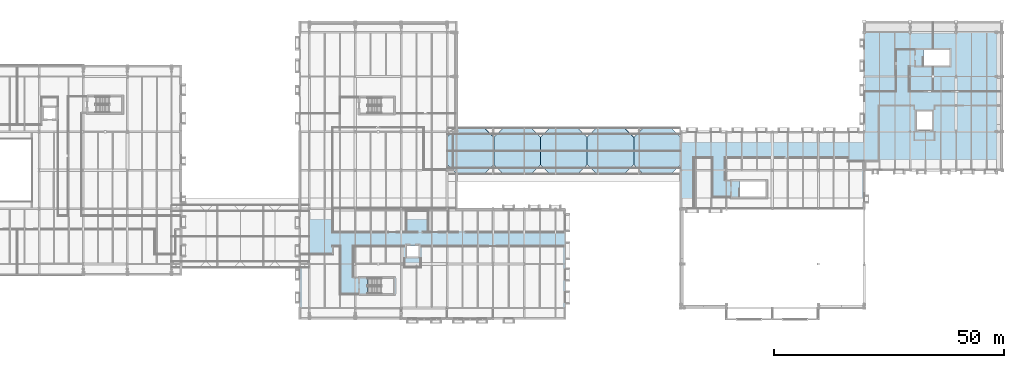
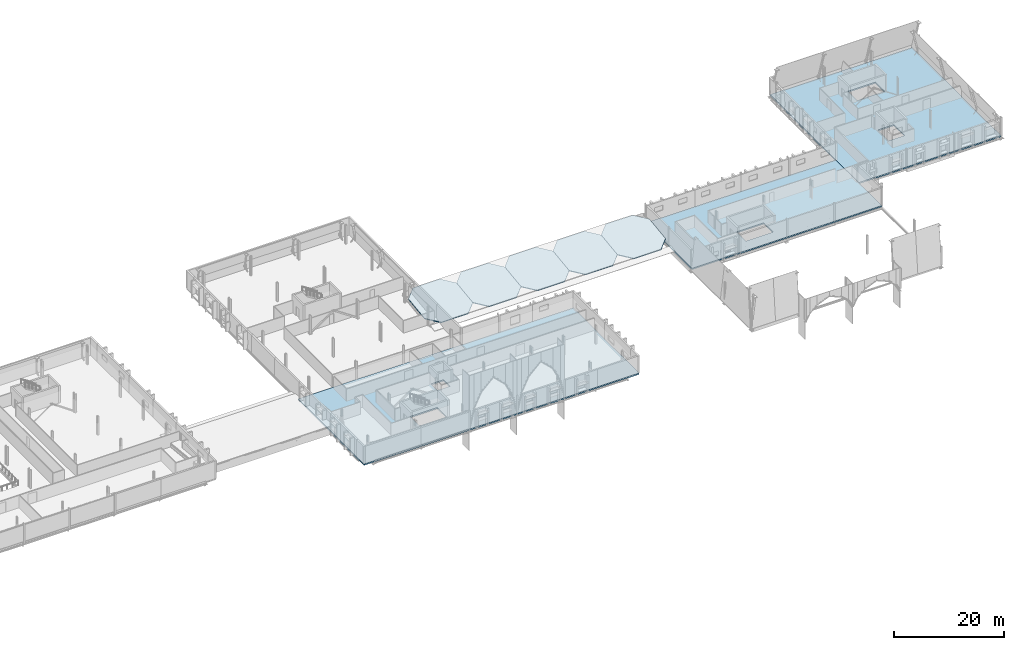
# One storey, part 45 of 90: 8 slabs, 1 element without a shape of its own.
"""IFC4 building model written with IfcOpenShell, lengths in metres."""

from ifc_helpers import new_model, si_unit, direction, frame, origin, place, context, subcontext, project, spatial, polyline, outline, extrude, material, layer, layer_set, type_object, element, aggregate, save


model = new_model("IFC4")

# Units and contexts
model_context = context("Model", 3, precision=1e-05, world=origin(), true_north=direction((0.0, 1.0)))
body_context = subcontext(model_context, "Body", "Model", "MODEL_VIEW")
ifc_project = project(units=[si_unit("LENGTHUNIT", "METRE"), si_unit("AREAUNIT", "SQUARE_METRE"), si_unit("VOLUMEUNIT", "CUBIC_METRE"), si_unit("PLANEANGLEUNIT", "RADIAN"), si_unit("MASSUNIT", "GRAM", prefix="KILO")], contexts=[model_context])

# Site, building, storey
site_placement = place(None, origin())
site = spatial("IfcSite", under=ifc_project, at=site_placement, CompositionType="ELEMENT")
building_placement = place(site_placement, origin())
building = spatial("IfcBuilding", under=site, at=building_placement, Name="Zereglee Splitstone Museum", CompositionType="ELEMENT")
storey_placement = place(building_placement, frame((0.0, 0.0, 4.800048828125)))
storey = spatial("IfcBuildingStorey", under=building, at=storey_placement, Name="L01", CompositionType="ELEMENT", Elevation=4.800048828125)

# Slabs
ifc_material_1 = material(Name="Concrete C35/45", Category="concrete")
ifc_layer_1 = layer(ifc_material_1, 0.300048828125)
ifc_layer_set_1 = layer_set([ifc_layer_1], Name="Concrete C35/45")
slab_type_1 = type_object("IfcSlabType", Name="FS-02", PredefinedType="FLOOR", material=ifc_layer_set_1)
slab_1_placement = place(storey_placement, frame((0.0, 0.0, -0.300048828125)))
element("IfcSlab", 1, at=slab_1_placement, inside=storey, type_object=slab_type_1, Name="Gallery Floor Slab L01-V3", PredefinedType="FLOOR", context=body_context, shape_type="SweptSolid", body=[
    extrude(outline(polyline([(173.0, -2.39990234375), (231.0, -2.39990234375), (231.0, 21.60009765625), (173.0, 21.60009765625), (173.0, -2.39990234375)]), holes=[polyline([(187.85400390625, 3.10009765625), (193.60009765625, 3.10009765625), (193.60009765625, 6.5), (187.85400390625, 6.5), (187.85400390625, 3.10009765625)]), polyline([(196.39990234375, 11.199951171875), (199.0, 11.199951171875), (199.0, 13.60009765625), (196.39990234375, 13.60009765625), (196.39990234375, 11.199951171875)])]), origin(), (0.0, 0.0, 1.0), 0.300048828125),
])
slab_2_placement = place(storey_placement, frame((0.0, 0.0, -0.300048828125)))
element("IfcSlab", 2, at=slab_2_placement, inside=storey, type_object=slab_type_1, Name="Gallery Floor Slab L01-V5F", PredefinedType="FLOOR", context=body_context, shape_type="SweptSolid", body=[
    extrude(outline(polyline([(256.0, 21.60009765625), (296.0, 21.60009765625), (296.0, 38.39990234375), (256.0, 38.39990234375), (256.0, 21.60009765625)]), holes=[polyline([(268.85400390625, 24.199951171875), (274.60009765625, 24.199951171875), (274.60009765625, 27.60009765625), (268.85400390625, 27.60009765625), (268.85400390625, 24.199951171875)])]), origin(), (0.0, 0.0, 1.0), 0.300048828125),
])
slab_3_placement = place(storey_placement, frame((0.0, 0.0, -0.300048828125)))
element("IfcSlab", 3, at=slab_3_placement, inside=storey, type_object=slab_type_1, Name="Gallery Floor Slab L01-V6", PredefinedType="FLOOR", context=body_context, shape_type="SweptSolid", body=[
    extrude(outline(polyline([(296.0, 30.0), (326.0, 30.0), (326.0, 62.39990234375), (296.0, 62.39990234375), (296.0, 30.0)]), holes=[polyline([(308.85400390625, 52.800048828125), (314.60009765625, 52.800048828125), (314.60009765625, 56.199951171875), (308.85400390625, 56.199951171875), (308.85400390625, 52.800048828125)]), polyline([(307.39990234375, 38.800048828125), (310.800048828125, 38.800048828125), (310.800048828125, 42.800048828125), (307.39990234375, 42.800048828125), (307.39990234375, 38.800048828125)])]), origin(), (0.0, 0.0, 1.0), 0.300048828125),
])

# Roof, slabs
ifc_material_2 = material(Name="Standing-seam zinc roofing on Concrete C35/45", Category="concrete")
ifc_layer_2 = layer(ifc_material_2, 0.219970703125)
ifc_layer_set_2 = layer_set([ifc_layer_2], Name="Concrete C35/45")
roof_type = type_object("IfcRoofType", Name="RF-A1", PredefinedType="SHED_ROOF", material=ifc_layer_set_2)
roof_placement = place(storey_placement, origin())
roof = element("IfcRoof", 4, at=roof_placement, inside=storey, type_object=roof_type, Name="Sloping Split-Rock Roof Assembly RF-L3", PredefinedType="SHED_ROOF")
ifc_layer_3 = layer(ifc_material_1, 0.169921875)
ifc_layer_set_3 = layer_set([ifc_layer_3], Name="Concrete C35/45")
slab_type_2 = type_object("IfcSlabType", Name="RS-05", PredefinedType="ROOF", material=ifc_layer_set_3)
slab_4_placement = place(storey_placement, frame((207.435302734375, 29.0, 0.489990234375), z_axis=(0.0, -0.129654560519, 0.99155922412), x_axis=(1.0, 0.0, 0.0)))
slab_4 = element("IfcSlab", 5, at=slab_4_placement, type_object=slab_type_2, Name="Split-Rock Roof Slab RF-L3 Panel 1", PredefinedType="ROOF", context=body_context, shape_type="SweptSolid", body=[
    extrude(outline(polyline([(0.0, 0.0), (5.689453125, 0.0), (7.9248046875, 2.2541311537490243), (7.9248046875, 8.23430042123553), (5.689453125, 10.488431574984553), (0.0, 10.488431574984553), (-2.2353515625, 8.23430042123553), (-2.2353515625, 2.2541311537490243), (0.0, 0.0)])), origin(), (0.0, 0.0, -1.0), 0.169921875),
])
slab_5_placement = place(storey_placement, frame((217.59521484375, 29.0, 0.489990234375), z_axis=(0.0, -0.129654560431, 0.991559224131), x_axis=(1.0, 0.0, 0.0)))
slab_5 = element("IfcSlab", 6, at=slab_5_placement, type_object=slab_type_2, Name="Split-Rock Roof Slab RF-L3 Panel 2", PredefinedType="ROOF", context=body_context, shape_type="SweptSolid", body=[
    extrude(outline(polyline([(0.0, 0.0), (5.689697265625, 0.0), (7.9248046875, 2.2541311537490265), (7.9248046875, 8.234300421235526), (5.689697265625, 10.488431574984554), (0.0, 10.488431574984554), (-2.235107421875, 8.234300421235526), (-2.235107421875, 2.2541311537490265), (0.0, 0.0)])), origin(), (0.0, 0.0, -1.0), 0.169921875),
])
slab_6_placement = place(storey_placement, frame((227.755126953125, 29.0, 0.489990234375), z_axis=(0.0, -0.129654560431, 0.991559224131), x_axis=(1.0, 0.0, 0.0)))
slab_6 = element("IfcSlab", 7, at=slab_6_placement, type_object=slab_type_2, Name="Split-Rock Roof Slab RF-L3 Panel 3", PredefinedType="ROOF", context=body_context, shape_type="SweptSolid", body=[
    extrude(outline(polyline([(0.0, 0.0), (5.689697265625, 0.0), (7.9248046875, 2.2541311537490265), (7.9248046875, 8.234300421235526), (5.689697265625, 10.488431574984554), (0.0, 10.488431574984554), (-2.235107421875, 8.234300421235526), (-2.235107421875, 2.2541311537490265), (0.0, 0.0)])), origin(), (0.0, 0.0, -1.0), 0.169921875),
])
slab_7_placement = place(storey_placement, frame((237.915283203125, 29.0, 0.489990234375), z_axis=(0.0, -0.129654560519, 0.99155922412), x_axis=(1.0, 0.0, 0.0)))
slab_7 = element("IfcSlab", 8, at=slab_7_placement, type_object=slab_type_2, Name="Split-Rock Roof Slab RF-L3 Panel 4", PredefinedType="ROOF", context=body_context, shape_type="SweptSolid", body=[
    extrude(outline(polyline([(0.0, 0.0), (5.689453125, 0.0), (7.9248046875, 2.2541311537490243), (7.9248046875, 8.23430042123553), (5.689453125, 10.488431574984553), (0.0, 10.488431574984553), (-2.2353515625, 8.23430042123553), (-2.2353515625, 2.2541311537490243), (0.0, 0.0)])), origin(), (0.0, 0.0, -1.0), 0.169921875),
])
slab_8_placement = place(storey_placement, frame((248.0751953125, 29.0, 0.489990234375), z_axis=(0.0, -0.129654560431, 0.991559224131), x_axis=(1.0, 0.0, 0.0)))
slab_8 = element("IfcSlab", 9, at=slab_8_placement, type_object=slab_type_2, Name="Split-Rock Roof Slab RF-L3 Panel 5", PredefinedType="ROOF", context=body_context, shape_type="SweptSolid", body=[
    extrude(outline(polyline([(0.0, 0.0), (5.689697265625, 0.0), (7.9248046875, 2.2541311537490265), (7.9248046875, 8.234300421235526), (5.689697265625, 10.488431574984554), (0.0, 10.488431574984554), (-2.235107421875, 8.234300421235526), (-2.235107421875, 2.2541311537490265), (0.0, 0.0)])), origin(), (0.0, 0.0, -1.0), 0.169921875),
])
aggregate(roof, [slab_4, slab_5, slab_6, slab_7, slab_8])

save(model, "model.ifc")
